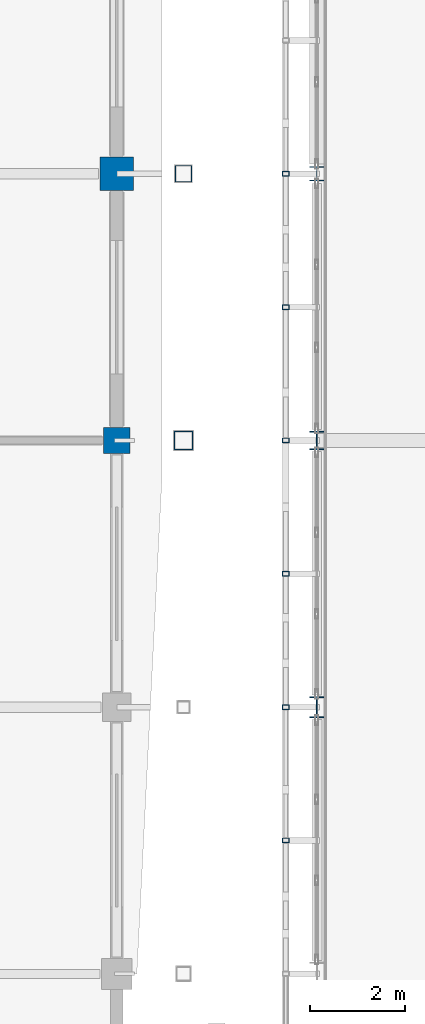
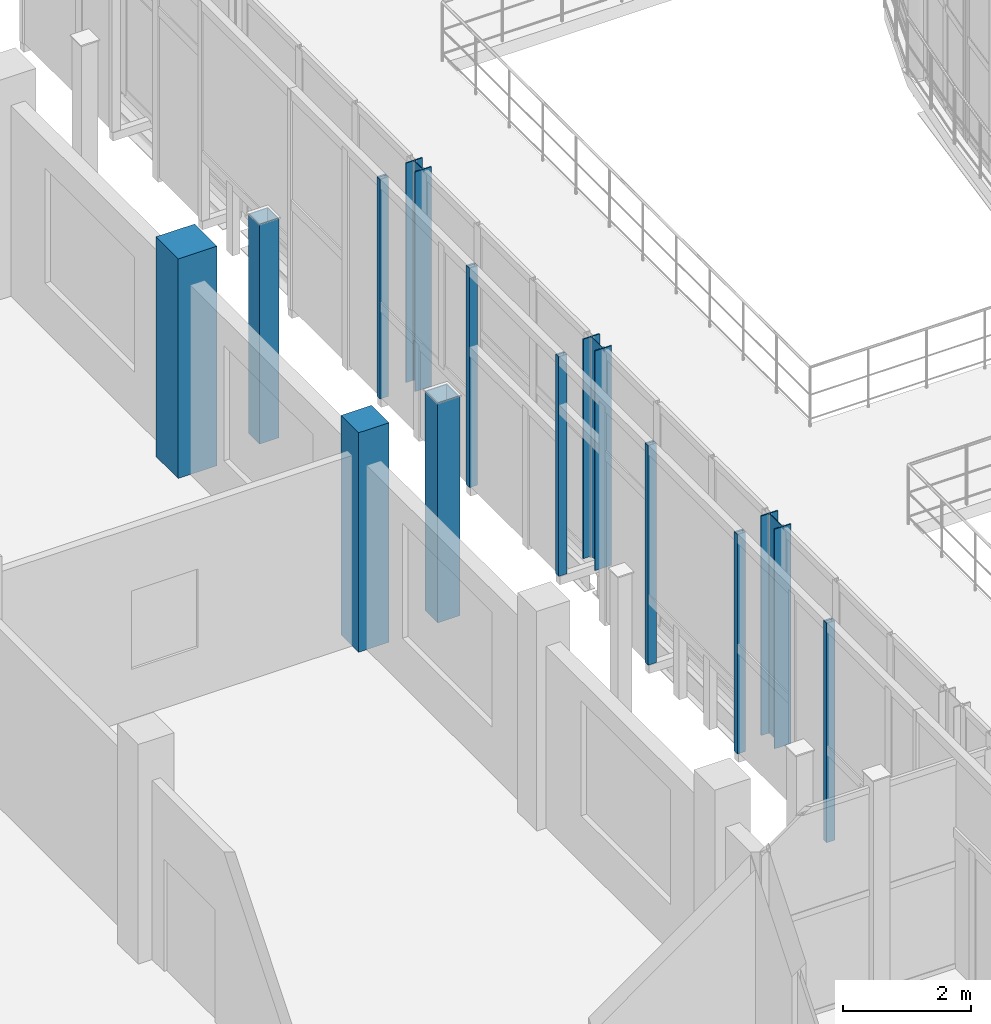
# One storey, part 8 of 121: 13 columns.
"""IFC4 building model written with IfcOpenShell, lengths in metres."""

from ifc_helpers import new_model, si_unit, direction, frame, origin, origin_2d, place, context, subcontext, project, spatial, rectangle, hollow_rectangle, i_section, extrude, material, material_profile, profile_set, type_object, element, save


model = new_model("IFC4")

# Units and contexts
model_context = context("Model", 3, precision=1e-05, world=origin(), true_north=direction((0.0, 1.0)))
body_context = subcontext(model_context, "Body", "Model", "MODEL_VIEW")
ifc_project = project(units=[si_unit("LENGTHUNIT", "METRE"), si_unit("AREAUNIT", "SQUARE_METRE"), si_unit("VOLUMEUNIT", "CUBIC_METRE"), si_unit("PLANEANGLEUNIT", "RADIAN"), si_unit("MASSUNIT", "GRAM", prefix="KILO")], contexts=[model_context])

# Site, building, storey
site_placement = place(None, origin())
site = spatial("IfcSite", under=ifc_project, at=site_placement, CompositionType="ELEMENT")
building_placement = place(site_placement, origin())
building = spatial("IfcBuilding", under=site, at=building_placement, Name="Vinh Khe Railworks Police Headquarters", CompositionType="ELEMENT")
storey_placement = place(building_placement, frame((0.0, 0.0, 4.800048828125)))
storey = spatial("IfcBuildingStorey", under=building, at=storey_placement, Name="L01", CompositionType="ELEMENT", Elevation=4.800048828125)

# Columns
ifc_material_1 = material(Name="Steel S355JR", Category="steel")
ifc_material_profile_1 = material_profile(ifc_material_1, hollow_rectangle(XDim=0.14990234375, YDim=0.10009765625, WallThickness=0.008056640625, at=origin_2d()), Name="RHS 150x100x8")
ifc_profile_set_1 = profile_set([ifc_material_profile_1], Name="Steel S355JR")
column_type_1 = type_object("IfcColumnType", Name="COL-QUILT-POST", PredefinedType="COLUMN", material=ifc_profile_set_1)
for number, where, z_axis, x_axis, name in (
    (1, (25.75, 33.60009765625, 0.0), (0.0, 0.0, 1.0), (1.0, 0.0, 0.0), "Patchwork Quilt Carrier Column W-4 (L01)"),
    (2, (25.75, 36.39990234375, 0.0), (0.0, 0.0, 1.0), (1.0, 0.0, 0.0), "Patchwork Quilt Carrier Column W-5 (L01)"),
    (3, (25.75, 39.199951171875, 0.0), (0.0, 0.0, 1.0), (1.0, 0.0, 0.0), "Patchwork Quilt Carrier Column W-6 (L01)"),
    (4, (25.75, 42.0, 0.0), (0.0, 0.0, 1.0), (1.0, 0.0, 0.0), "Patchwork Quilt Carrier Column W-7 (L01)"),
    (5, (25.75, 44.800048828125, 0.0), (0.0, 0.0, 1.0), (1.0, 0.0, 0.0), "Patchwork Quilt Carrier Column W-8 (L01)"),
    (6, (25.75, 47.60009765625, 0.0), (0.0, 0.0, 1.0), (1.0, 0.0, 0.0), "Patchwork Quilt Carrier Column W-9 (L01)"),
):
    element("IfcColumn", number, at=place(storey_placement, frame(where, z_axis=z_axis, x_axis=x_axis)), inside=storey, type_object=column_type_1, Name=name, PredefinedType="COLUMN", context=body_context, shape_type="SweptSolid", body=[
        extrude(hollow_rectangle(XDim=0.14990234375, YDim=0.10009765625, WallThickness=0.008056640625, at=origin_2d()), origin(), (0.0, 0.0, 1.0), 4.199951171875),
    ])
ifc_material_2 = material(Name="Concrete C40/50 (B40)", Category="concrete")
ifc_material_profile_2 = material_profile(ifc_material_2, rectangle(XDim=0.550048828125, YDim=0.550048828125, at=origin_2d()), Name="RC 550x550")
ifc_profile_set_2 = profile_set([ifc_material_profile_2], Name="Concrete C40/50 (B40)")
column_type_2 = type_object("IfcColumnType", Name="RC Column RC 550x550", PredefinedType="COLUMN", material=ifc_profile_set_2)
column_1_placement = place(storey_placement, frame((22.199951171875, 42.0, 0.0), z_axis=(0.0, 0.0, 1.0), x_axis=(1.0, 0.0, 0.0)))
element("IfcColumn", 7, at=column_1_placement, inside=storey, type_object=column_type_2, Name="Column COL-L01-CC-06-0546", PredefinedType="COLUMN", context=body_context, shape_type="SweptSolid", body=[
    extrude(rectangle(XDim=0.550048828125, YDim=0.550048828125, at=origin_2d()), origin(), (0.0, 0.0, 1.0), 4.199951171875),
])
ifc_material_profile_3 = material_profile(ifc_material_2, rectangle(XDim=0.699951171875, YDim=0.699951171875, at=origin_2d()), Name="RC 700x700")
ifc_profile_set_3 = profile_set([ifc_material_profile_3], Name="Concrete C40/50 (B40)")
column_type_3 = type_object("IfcColumnType", Name="RC Column RC 700x700", PredefinedType="COLUMN", material=ifc_profile_set_3)
column_2_placement = place(storey_placement, frame((22.199951171875, 47.60009765625, 0.0), z_axis=(0.0, 0.0, 1.0), x_axis=(1.0, 0.0, 0.0)))
element("IfcColumn", 8, at=column_2_placement, inside=storey, type_object=column_type_3, Name="Column COL-L01-CC-03-0555", PredefinedType="COLUMN", context=body_context, shape_type="SweptSolid", body=[
    extrude(rectangle(XDim=0.699951171875, YDim=0.699951171875, at=origin_2d()), origin(), (0.0, 0.0, 1.0), 4.199951171875),
])
ifc_material_profile_4 = material_profile(ifc_material_1, i_section(OverallWidth=0.300048828125, OverallDepth=0.389892578125, WebThickness=0.010986328125, FlangeThickness=0.01904296875, FilletRadius=0.027099609375, at=origin_2d()), Name="HEA 400")
ifc_profile_set_4 = profile_set([ifc_material_profile_4], Name="Steel S355JR")
column_type_4 = type_object("IfcColumnType", Name="Steel Column HEA 400", PredefinedType="COLUMN", material=ifc_profile_set_4)
column_3_placement = place(storey_placement, frame((26.39990234375, 42.0, 0.0), z_axis=(0.0, 0.0, 1.0), x_axis=(1.0, 0.0, 0.0)))
element("IfcColumn", 9, at=column_3_placement, inside=storey, type_object=column_type_4, Name="Column COL-L01-SC-15-0739", PredefinedType="COLUMN", context=body_context, shape_type="SweptSolid", body=[
    extrude(i_section(OverallWidth=0.300048828125, OverallDepth=0.389892578125, WebThickness=0.010986328125, FlangeThickness=0.01904296875, FilletRadius=0.027099609375, at=origin_2d()), origin(), (0.0, 0.0, 1.0), 4.199951171875),
])
ifc_material_profile_5 = material_profile(ifc_material_1, i_section(OverallWidth=0.300048828125, OverallDepth=0.43994140625, WebThickness=0.011474609375, FlangeThickness=0.02099609375, FilletRadius=0.027099609375, at=origin_2d()), Name="HEA 450")
ifc_profile_set_5 = profile_set([ifc_material_profile_5], Name="Steel S355JR")
column_type_5 = type_object("IfcColumnType", Name="Steel Column HEA 450", PredefinedType="COLUMN", material=ifc_profile_set_5)
column_4_placement = place(storey_placement, frame((26.39990234375, 36.39990234375, 0.0), z_axis=(0.0, 0.0, 1.0), x_axis=(1.0, 0.0, 0.0)))
element("IfcColumn", 10, at=column_4_placement, inside=storey, type_object=column_type_5, Name="Column COL-L01-SC-14-0734", PredefinedType="COLUMN", context=body_context, shape_type="SweptSolid", body=[
    extrude(i_section(OverallWidth=0.300048828125, OverallDepth=0.43994140625, WebThickness=0.011474609375, FlangeThickness=0.02099609375, FilletRadius=0.027099609375, at=origin_2d()), origin(), (0.0, 0.0, 1.0), 4.199951171875),
])
ifc_material_profile_6 = material_profile(ifc_material_1, i_section(OverallWidth=0.300048828125, OverallDepth=0.300048828125, WebThickness=0.010986328125, FlangeThickness=0.01904296875, FilletRadius=0.027099609375, at=origin_2d()), Name="HEB 300")
ifc_profile_set_6 = profile_set([ifc_material_profile_6], Name="Steel S355JR")
column_type_6 = type_object("IfcColumnType", Name="Steel Column HEB 300", PredefinedType="COLUMN", material=ifc_profile_set_6)
column_5_placement = place(storey_placement, frame((26.39990234375, 47.60009765625, 0.0), z_axis=(0.0, 0.0, 1.0), x_axis=(1.0, 0.0, 0.0)))
element("IfcColumn", 11, at=column_5_placement, inside=storey, type_object=column_type_6, Name="Column COL-L01-SC-11-0744", PredefinedType="COLUMN", context=body_context, shape_type="SweptSolid", body=[
    extrude(i_section(OverallWidth=0.300048828125, OverallDepth=0.300048828125, WebThickness=0.010986328125, FlangeThickness=0.01904296875, FilletRadius=0.027099609375, at=origin_2d()), origin(), (0.0, 0.0, 1.0), 4.199951171875),
])
ifc_material_profile_7 = material_profile(ifc_material_1, hollow_rectangle(XDim=0.35009765625, YDim=0.35009765625, WallThickness=0.01611328125, at=origin_2d()), Name="SHS 350x350x16")
ifc_profile_set_7 = profile_set([ifc_material_profile_7], Name="Steel S355JR")
column_type_7 = type_object("IfcColumnType", Name="Steel Column SHS 350x350x16", PredefinedType="COLUMN", material=ifc_profile_set_7)
column_6_placement = place(storey_placement, frame((23.60009765625, 47.60009765625, 0.0), z_axis=(0.0, 0.0, 1.0), x_axis=(1.0, 0.0, 0.0)))
element("IfcColumn", 12, at=column_6_placement, inside=storey, type_object=column_type_7, Name="Column COL-L01-SC-22-0682", PredefinedType="COLUMN", context=body_context, shape_type="SweptSolid", body=[
    extrude(hollow_rectangle(XDim=0.35009765625, YDim=0.35009765625, WallThickness=0.01611328125, at=origin_2d()), origin(), (0.0, 0.0, 1.0), 4.199951171875),
])
ifc_material_profile_8 = material_profile(ifc_material_1, hollow_rectangle(XDim=0.39990234375, YDim=0.39990234375, WallThickness=0.02001953125, at=origin_2d()), Name="SHS 400x400x20")
ifc_profile_set_8 = profile_set([ifc_material_profile_8], Name="Steel S355JR")
column_type_8 = type_object("IfcColumnType", Name="Steel Column SHS 400x400x20", PredefinedType="COLUMN", material=ifc_profile_set_8)
column_7_placement = place(storey_placement, frame((23.60009765625, 42.0, 0.0), z_axis=(0.0, 0.0, 1.0), x_axis=(1.0, 0.0, 0.0)))
element("IfcColumn", 13, at=column_7_placement, inside=storey, type_object=column_type_8, Name="Column COL-L01-SC-21-0677", PredefinedType="COLUMN", context=body_context, shape_type="SweptSolid", body=[
    extrude(hollow_rectangle(XDim=0.39990234375, YDim=0.39990234375, WallThickness=0.02001953125, at=origin_2d()), origin(), (0.0, 0.0, 1.0), 4.199951171875),
])

save(model, "model.ifc")
